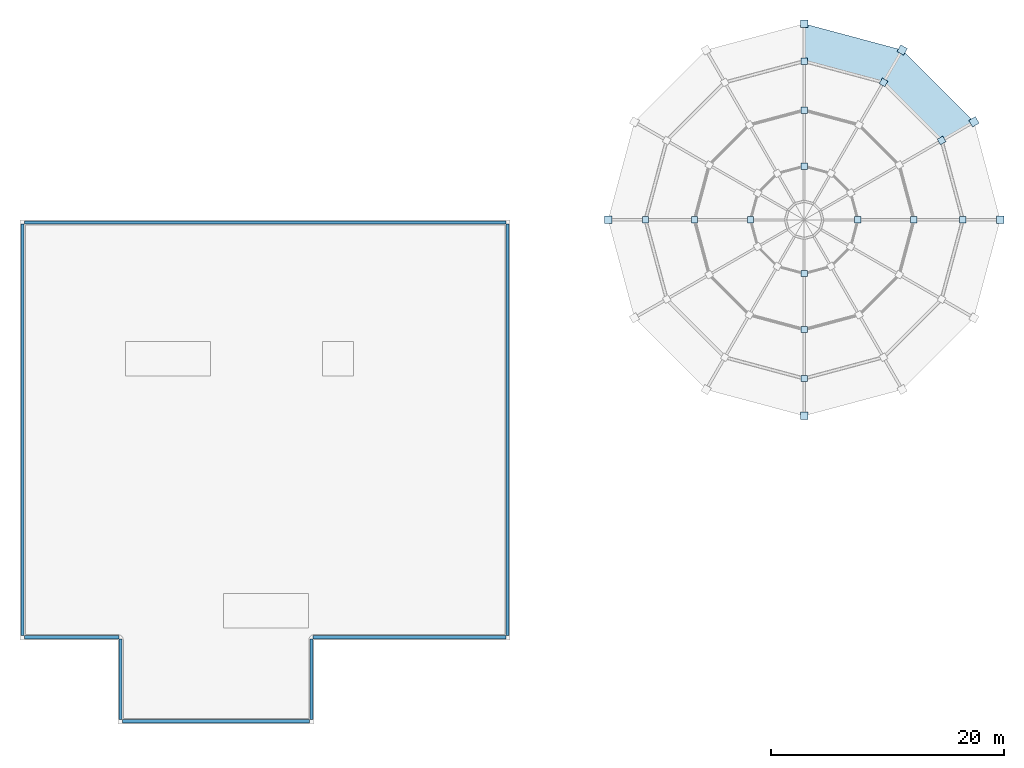
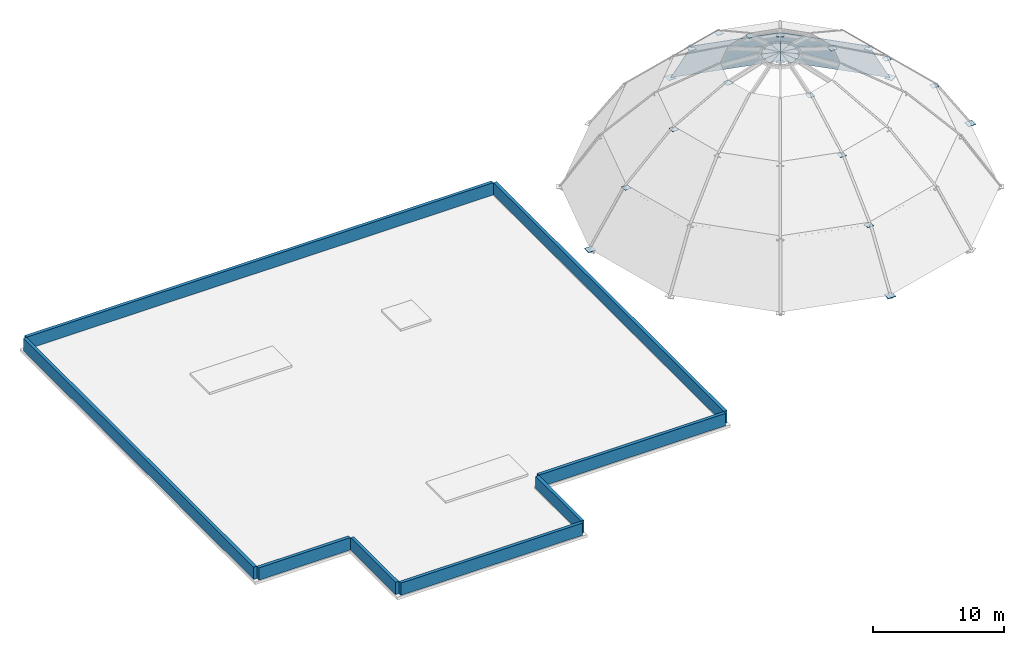
# One storey, part 4 of 5: 22 plates, 8 walls.
"""IFC4 building model written with IfcOpenShell, lengths in metres."""

import ifcopenshell
import ifcopenshell.guid

model = None  # the IFC model being written
_history = None  # IfcOwnerHistory: only IFC2X3 demands one
_inside = {}  # id of a spatial element -> (the spatial element, [elements in it])
_under = {}  # id of a project, library or spatial element -> (it, [spatial elements below it])
_declared = {}  # id of a project -> (the project, [libraries it declares])
_typed = {}  # id of a type object -> (the type object, [elements of that type])
_made_of = {}  # id of a material, layer set ... -> (it, [elements and type objects made of it])


def new_model(schema):
    """Start an empty IFC model of exactly this schema.

    Asked for "IFC4X3", IfcOpenShell would pick the latest addendum, in which some entities
    have other attributes; the version numbers below select the first issue.
    IFC2X3 requires an IfcOwnerHistory on every rooted entity: one is made here for all.
    """
    global model, _history
    if schema == "IFC4X3":
        model = ifcopenshell.file(schema_version=(4, 3, 0, 0))
    else:
        model = ifcopenshell.file(schema=schema)
    _inside.clear()
    _under.clear()
    _declared.clear()
    _typed.clear()
    _made_of.clear()
    _history = None
    if model.schema == "IFC2X3":
        org = make("IfcOrganization", Name="unknown")
        user = make(
            "IfcPersonAndOrganization",
            ThePerson=make("IfcPerson", FamilyName="unknown"),
            TheOrganization=org,
        )
        app = make(
            "IfcApplication",
            ApplicationDeveloper=org,
            Version="unknown",
            ApplicationFullName="unknown",
            ApplicationIdentifier="unknown",
        )
        _history = make(
            "IfcOwnerHistory",
            OwningUser=user,
            OwningApplication=app,
            ChangeAction="ADDED",
            CreationDate=0,
        )
    return model


def make(cls, **values):
    """One entity of the class cls with the attributes given. An attribute that is None is left unset."""
    return model.create_entity(
        cls, **{name: value for name, value in values.items() if value is not None}
    )


def rooted(cls, **values):
    """An entity with a GlobalId (a new one), such as an element, a storey or a relation."""
    return make(cls, GlobalId=ifcopenshell.guid.new(), OwnerHistory=_history, **values)


def si_unit(unit_type, name, prefix=None):
    """IfcSIUnit, for example si_unit("LENGTHUNIT", "METRE", prefix="MILLI")."""
    return make("IfcSIUnit", UnitType=unit_type, Prefix=prefix, Name=name)


def derived_unit(unit_type, elements):
    """IfcDerivedUnit: a product of units, each with its exponent."""
    return make(
        "IfcDerivedUnit",
        Elements=[
            make("IfcDerivedUnitElement", Unit=unit, Exponent=power)
            for unit, power in elements
        ],
        UnitType=unit_type,
    )


def assignment(units):
    """IfcUnitAssignment: the units of a project."""
    return None if units is None else make("IfcUnitAssignment", Units=units)


def point(xyz):
    """IfcCartesianPoint."""
    return None if xyz is None else make("IfcCartesianPoint", Coordinates=xyz)


def direction(xyz):
    """IfcDirection."""
    return None if xyz is None else make("IfcDirection", DirectionRatios=xyz)


def frame(location, z_axis=None, x_axis=None):
    """IfcAxis2Placement3D, a coordinate frame: its origin and axes. An axis left out is left unset."""
    return make(
        "IfcAxis2Placement3D",
        Location=point(location),
        Axis=direction(z_axis),
        RefDirection=direction(x_axis),
    )


def frame_2d(location, x_axis=None):
    """IfcAxis2Placement2D, a coordinate frame in the plane: its origin and x axis."""
    return make(
        "IfcAxis2Placement2D", Location=point(location), RefDirection=direction(x_axis)
    )


def origin():
    """The frame at (0, 0, 0) with its axes left unset."""
    return frame((0.0, 0.0, 0.0))


def origin_2d():
    """The frame at (0, 0) in the plane with its x axis left unset."""
    return frame_2d((0.0, 0.0))


def place(relative_to, where):
    """IfcLocalPlacement: puts the frame where relative to a parent placement (None: the world)."""
    return make(
        "IfcLocalPlacement", PlacementRelTo=relative_to, RelativePlacement=where
    )


def context(
    kind, dimensions, precision=None, world=None, true_north=None, identifier=None
):
    """IfcGeometricRepresentationContext, for example the 3D "Model" context."""
    return make(
        "IfcGeometricRepresentationContext",
        ContextIdentifier=identifier,
        ContextType=kind,
        CoordinateSpaceDimension=dimensions,
        Precision=precision,
        WorldCoordinateSystem=world,
        TrueNorth=true_north,
    )


def subcontext(parent, identifier, kind, view, scale=None):
    """IfcGeometricRepresentationSubContext, for example "Body" below "Model"."""
    return make(
        "IfcGeometricRepresentationSubContext",
        ContextIdentifier=identifier,
        ContextType=kind,
        ParentContext=parent,
        TargetScale=scale,
        TargetView=view,
    )


def project(units=None, contexts=None):
    """IfcProject with its units and contexts."""
    return rooted(
        "IfcProject",
        Name="project",
        RepresentationContexts=contexts,
        UnitsInContext=assignment(units),
    )


def spatial(cls, under=None, at=None, **own):
    """A site, building, storey or space (cls), placed at a placement, below another one or the project."""
    s = rooted(cls, ObjectPlacement=at, **own)
    if under is not None:
        _under.setdefault(under.id(), (under, []))[1].append(s)
    return s


def polyline(points):
    """IfcPolyline through the points."""
    return make("IfcPolyline", Points=[point(p) for p in points])


def profile(cls, at=None, kind="AREA", **sizes):
    """A parametric profile (cls). Its sizes go by their IFC names, for example OverallWidth=200.0."""
    return make(cls, ProfileType=kind, Position=at, **sizes)


def rectangle(**sizes):
    """IfcRectangleProfileDef."""
    return profile("IfcRectangleProfileDef", **sizes)


def outline(outer, holes=None, kind="AREA"):
    """IfcArbitraryClosedProfileDef: a profile drawn as a closed curve; with holes, ...WithVoids."""
    if holes is None:
        return make("IfcArbitraryClosedProfileDef", ProfileType=kind, OuterCurve=outer)
    return make(
        "IfcArbitraryProfileDefWithVoids",
        ProfileType=kind,
        OuterCurve=outer,
        InnerCurves=holes,
    )


def extrude(swept, where, along, depth):
    """IfcExtrudedAreaSolid: the profile swept, set in the frame where, extruded along a direction by depth."""
    return make(
        "IfcExtrudedAreaSolid",
        SweptArea=swept,
        Position=where,
        ExtrudedDirection=direction(along),
        Depth=depth,
    )


def shape(context_of_items, identifier, shape_type, items):
    """IfcShapeRepresentation: the items that make up one representation, for example the "Body"."""
    return make(
        "IfcShapeRepresentation",
        ContextOfItems=context_of_items,
        RepresentationIdentifier=identifier,
        RepresentationType=shape_type,
        Items=items,
    )


def material(Name=None, Category=None):
    """IfcMaterial."""
    return make("IfcMaterial", Name=Name, Category=Category)


def layer(
    of_material, thickness, ventilated=None, Name=None, Category=None, Priority=None
):
    """IfcMaterialLayer: one layer of a wall or slab, of a material (None: an air gap)."""
    return make(
        "IfcMaterialLayer",
        Material=of_material,
        LayerThickness=thickness,
        IsVentilated=ventilated,
        Name=Name,
        Category=Category,
        Priority=Priority,
    )


def layer_set(layers, Name=None):
    """IfcMaterialLayerSet."""
    return make("IfcMaterialLayerSet", MaterialLayers=layers, LayerSetName=Name)


def made_of(thing, what):
    """Note that an element or type object is made of a material, layer set ...; save() writes the relation."""
    if what is not None:
        _made_of.setdefault(what.id(), (what, []))[1].append(thing)
    return thing


def type_object(cls, material=None, **own):
    """A type object (cls), such as IfcWallType, which elements share."""
    return made_of(rooted(cls, **own), material)


def element(
    cls,
    number,
    at=None,
    inside=None,
    cuts=None,
    type_object=None,
    material=None,
    context=None,
    identifier="Body",
    shape_type=None,
    held_by="IfcProductDefinitionShape",
    body=None,
    shapes=None,
    **own,
):
    """One element of the class cls, such as IfcWall. Its Tag is "e" and its number.

    at: its placement. inside: the storey or other place that contains it. cuts: it is an
    opening in that element (IfcRelVoidsElement). A single representation is given by context,
    identifier, shape_type and body (its items); several are given by shapes. held_by: the class
    of the entity that holds the representations. save() writes the other relations.
    """
    e = rooted(cls, Tag="e%d" % number, ObjectPlacement=at, **own)
    if body is not None:
        shapes = [shape(context, identifier, shape_type, body)]
    if shapes is not None:
        e.Representation = make(held_by, Representations=shapes)
    if inside is not None:
        _inside.setdefault(inside.id(), (inside, []))[1].append(e)
    if cuts is not None:
        rooted(
            "IfcRelVoidsElement", RelatingBuildingElement=cuts, RelatedOpeningElement=e
        )
    if type_object is not None:
        _typed.setdefault(type_object.id(), (type_object, []))[1].append(e)
    return made_of(e, material)


def aggregate(whole, parts):
    """IfcRelAggregates: a whole, such as a stair, and the parts it consists of."""
    return rooted("IfcRelAggregates", RelatingObject=whole, RelatedObjects=parts)


def save(model, path):
    """Write the relations noted so far, then the file.

    IfcRelAggregates (storeys below a building ...), IfcRelContainedInSpatialStructure (elements
    in a storey), IfcRelDefinesByType, IfcRelAssociatesMaterial and IfcRelDeclares: one each for
    every whole, place, type object, material and project.
    """
    for whole, parts in _under.values():
        aggregate(whole, parts)
    for where, things in _inside.values():
        rooted(
            "IfcRelContainedInSpatialStructure",
            RelatedElements=things,
            RelatingStructure=where,
        )
    for kind, things in _typed.values():
        rooted("IfcRelDefinesByType", RelatedObjects=things, RelatingType=kind)
    for what, things in _made_of.values():
        rooted("IfcRelAssociatesMaterial", RelatedObjects=things, RelatingMaterial=what)
    for by, libraries in _declared.values():
        rooted("IfcRelDeclares", RelatingContext=by, RelatedDefinitions=libraries)
    model.write(path)


model = new_model("IFC4")

# Units and contexts
model_context = context("Model", 3, precision=1e-05, world=origin(), true_north=direction((0.0, 1.0)))
body_context = subcontext(model_context, "Body", "Model", "MODEL_VIEW")
ifc_project = project(units=[si_unit("LENGTHUNIT", "METRE"), si_unit("AREAUNIT", "SQUARE_METRE"), si_unit("VOLUMEUNIT", "CUBIC_METRE"), si_unit("PLANEANGLEUNIT", "RADIAN"), si_unit("MASSUNIT", "GRAM", prefix="KILO"), derived_unit("THERMALTRANSMITTANCEUNIT", [(si_unit("POWERUNIT", "WATT"), 1), (si_unit("LENGTHUNIT", "METRE"), -2), (si_unit("THERMODYNAMICTEMPERATUREUNIT", "KELVIN"), -1)])], contexts=[model_context])

# Site, building, storey
site_placement = place(None, origin())
site = spatial("IfcSite", under=ifc_project, at=site_placement, CompositionType="ELEMENT")
building_placement = place(site_placement, origin())
building = spatial("IfcBuilding", under=site, at=building_placement, Name="Veybourne Emporium", CompositionType="ELEMENT")
storey_placement = place(building_placement, frame((0.0, 0.0, 36.60009765625)))
storey = spatial("IfcBuildingStorey", under=building, at=storey_placement, Name="ROOF", CompositionType="ELEMENT", Elevation=36.60009765625)

# Plates
ifc_material_1 = material(Name="Solar Control Laminated Glass", Category="glass")
ifc_layer_1 = layer(ifc_material_1, 0.031982421875)
ifc_layer_set_1 = layer_set([ifc_layer_1], Name="Solar Control Laminated Glass")
plate_type_1 = type_object("IfcPlateType", Name="GlazingPlate_DG-01", PredefinedType="SHEET", material=ifc_layer_set_1)
plate_1_placement = place(storey_placement, frame((90.149169921875, 58.800048828125, -8.3740234375), z_axis=(0.59805322622, 0.59805322622, 0.533539761608), x_axis=(-0.707106781187, 0.707106781187, 0.0)))
element("IfcPlate", 1, at=plate_1_placement, inside=storey, type_object=plate_type_1, Name="Atrium dome laminated glazing panel DG-01 sector 2 tier 1", PredefinedType="SHEET", context=body_context, shape_type="SweptSolid", body=[
    extrude(outline(polyline([(0.0, 0.0), (8.69623950085233, 0.0), (7.868116642123847, 5.793387649320011), (0.8281228587284835, 5.793387649320012), (0.0, 0.0)])), origin(), (0.0, 0.0, -1.0), 0.031982421875),
])
plate_2_placement = place(storey_placement, frame((84.0, 64.94921875, -8.3740234375), z_axis=(0.218904335615, 0.816961163334, 0.533531020141), x_axis=(-0.96592589278, 0.258818796952, 8.6286e-07)))
element("IfcPlate", 2, at=plate_2_placement, inside=storey, type_object=plate_type_1, Name="Atrium dome laminated glazing panel DG-01 sector 3 tier 1", PredefinedType="SHEET", context=body_context, shape_type="SweptSolid", body=[
    extrude(outline(polyline([(0.0, 0.0), (8.696215028345277, 0.0), (7.868011743665389, 5.7933418507557946), (0.8283309215531014, 5.793357904414631), (0.0, 0.0)])), origin(), (0.0, 0.0, -1.0), 0.031982421875),
])
ifc_material_2 = material(Name="Steel S355", Category="steel")
ifc_layer_2 = layer(ifc_material_2, 0.034912109375)
ifc_layer_set_2 = layer_set([ifc_layer_2], Name="Steel S355")
plate_type_2 = type_object("IfcPlateType", Name="NodePlate_BP-01", PredefinedType="USERDEFINED", material=ifc_layer_set_2)
for number, where, z_axis, x_axis, name in (
    (3, (92.39990234375, 50.39990234375, -8.39990234375), (0.0, 0.0, 1.0), (1.0, 0.0, 0.0), "Dome rib base shoe plate BP-01.01"),
    (4, (90.149169921875, 58.800048828125, -8.39990234375), (0.0, 0.0, 1.0), (0.866025403784, 0.5, 0.0), "Dome rib base shoe plate BP-01.02"),
    (5, (84.0, 64.94921875, -8.39990234375), (0.0, 0.0, 1.0), (0.5, 0.866025403784, 0.0), "Dome rib base shoe plate BP-01.03"),
    (6, (75.60009765625, 67.199951171875, -8.39990234375), (0.0, 0.0, 1.0), (0.0, 1.0, 0.0), "Dome rib base shoe plate BP-01.04"),
    (7, (58.800048828125, 50.39990234375, -8.39990234375), (0.0, 0.0, 1.0), (-1.0, 0.0, 0.0), "Dome rib base shoe plate BP-01.07"),
    (8, (75.60009765625, 33.60009765625, -8.39990234375), (0.0, 0.0, 1.0), (0.0, -1.0, 0.0), "Dome rib base shoe plate BP-01.10"),
):
    element("IfcPlate", number, at=place(storey_placement, frame(where, z_axis=z_axis, x_axis=x_axis)), inside=storey, type_object=plate_type_2, Name=name, ObjectType="BASE_PLATE", PredefinedType="USERDEFINED", context=body_context, shape_type="SweptSolid", body=[
        extrude(rectangle(XDim=0.64990234375, YDim=0.64990234375, at=origin_2d()), origin(), (0.0, 0.0, 1.0), 0.034912109375),
    ])
ifc_layer_3 = layer(ifc_material_2, 0.02490234375)
ifc_layer_set_3 = layer_set([ifc_layer_3], Name="Steel S355")
plate_type_3 = type_object("IfcPlateType", Name="NodePlate_GP-01", PredefinedType="USERDEFINED", material=ifc_layer_set_3)
for number, where, z_axis, x_axis, name in (
    (9, (89.199951171875, 50.39990234375, -3.742431640625), (0.0, 0.0, 1.0), (1.0, 0.0, 0.0), "Dome ring node gusset plate GP-01.1.01"),
    (10, (85.0, 50.39990234375, 0.257568359375), (0.0, 0.0, 1.0), (1.0, 0.0, 0.0), "Dome ring node gusset plate GP-01.2.01"),
    (11, (80.199951171875, 50.39990234375, 2.907470703125), (0.0, 0.0, 1.0), (1.0, 0.0, 0.0), "Dome ring node gusset plate GP-01.3.01"),
    (12, (87.3779296875, 57.199951171875, -3.742431640625), (0.0, 0.0, 1.0), (0.866025403784, 0.5, 0.0), "Dome ring node gusset plate GP-01.1.02"),
    (13, (82.39990234375, 62.177978515625, -3.742431640625), (0.0, 0.0, 1.0), (0.5, 0.866025403784, 0.0), "Dome ring node gusset plate GP-01.1.03"),
    (14, (75.60009765625, 64.0, -3.742431640625), (0.0, 0.0, 1.0), (0.0, 1.0, 0.0), "Dome ring node gusset plate GP-01.1.04"),
    (15, (75.60009765625, 59.800048828125, 0.257568359375), (0.0, 0.0, 1.0), (0.0, 1.0, 0.0), "Dome ring node gusset plate GP-01.2.04"),
    (16, (75.60009765625, 55.0, 2.907470703125), (0.0, 0.0, 1.0), (0.0, 1.0, 0.0), "Dome ring node gusset plate GP-01.3.04"),
    (17, (62.0, 50.39990234375, -3.742431640625), (0.0, 0.0, 1.0), (-1.0, 0.0, 0.0), "Dome ring node gusset plate GP-01.1.07"),
    (18, (66.199951171875, 50.39990234375, 0.257568359375), (0.0, 0.0, 1.0), (-1.0, 0.0, 0.0), "Dome ring node gusset plate GP-01.2.07"),
    (19, (71.0, 50.39990234375, 2.907470703125), (0.0, 0.0, 1.0), (-1.0, 0.0, 0.0), "Dome ring node gusset plate GP-01.3.07"),
    (20, (75.60009765625, 36.800048828125, -3.742431640625), (0.0, 0.0, 1.0), (0.0, -1.0, 0.0), "Dome ring node gusset plate GP-01.1.10"),
    (21, (75.60009765625, 41.0, 0.257568359375), (0.0, 0.0, 1.0), (0.0, -1.0, 0.0), "Dome ring node gusset plate GP-01.2.10"),
    (22, (75.60009765625, 45.800048828125, 2.907470703125), (0.0, 0.0, 1.0), (0.0, -1.0, 0.0), "Dome ring node gusset plate GP-01.3.10"),
):
    element("IfcPlate", number, at=place(storey_placement, frame(where, z_axis=z_axis, x_axis=x_axis)), inside=storey, type_object=plate_type_3, Name=name, ObjectType="GUSSET_PLATE", PredefinedType="USERDEFINED", context=body_context, shape_type="SweptSolid", body=[
        extrude(rectangle(XDim=0.550048828125, YDim=0.550048828125, at=origin_2d()), origin(), (0.0, 0.0, 1.0), 0.02490234375),
    ])

# Walls
ifc_material_3 = material(Name="Portland Limestone Ashlar", Category="masonry")
ifc_layer_4 = layer(ifc_material_3, 0.280029296875)
ifc_layer_set_4 = layer_set([ifc_layer_4], Name="Portland Limestone Ashlar")
wall_type = type_object("IfcWallType", Name="ExtWall_PW-01", PredefinedType="PARAPET", material=ifc_layer_set_4)
wall_1_placement = place(storey_placement, frame((17.02001953125, 7.570068359375, 0.0), z_axis=(0.0, 0.0, 1.0), x_axis=(0.0, 1.0, 0.0)))
element("IfcWall", 23, at=wall_1_placement, inside=storey, type_object=wall_type, Name="ROOF roof parapet wall 001", PredefinedType="PARAPET", context=body_context, shape_type="SweptSolid", body=[
    extrude(rectangle(XDim=6.89990234375, YDim=0.280029296875, at=frame_2d((3.449951171875, 0.0))), origin(), (0.0, 0.0, 1.0), 1.14990234375),
])
wall_2_placement = place(storey_placement, frame((16.8701171875, 14.6201171875, 0.0), z_axis=(0.0, 0.0, 1.0), x_axis=(-1.0, 0.0, 0.0)))
element("IfcWall", 24, at=wall_2_placement, inside=storey, type_object=wall_type, Name="ROOF roof parapet wall 002", PredefinedType="PARAPET", context=body_context, shape_type="SweptSolid", body=[
    extrude(rectangle(XDim=8.10009765625, YDim=0.280029296875, at=frame_2d((4.050048828125, 0.0))), origin(), (0.0, 0.0, 1.0), 1.14990234375),
])
wall_3_placement = place(storey_placement, frame((8.6201171875, 14.77001953125, 0.0), z_axis=(0.0, 0.0, 1.0), x_axis=(0.0, 1.0, 0.0)))
element("IfcWall", 25, at=wall_3_placement, inside=storey, type_object=wall_type, Name="ROOF roof parapet wall 003", PredefinedType="PARAPET", context=body_context, shape_type="SweptSolid", body=[
    extrude(rectangle(XDim=35.260009765625, YDim=0.280029296875, at=frame_2d((17.6298828125, 0.0))), origin(), (0.0, 0.0, 1.0), 1.14990234375),
])
wall_4_placement = place(storey_placement, frame((8.77001953125, 50.179931640625, 0.0), z_axis=(0.0, 0.0, 1.0), x_axis=(1.0, 0.0, 0.0)))
element("IfcWall", 26, at=wall_4_placement, inside=storey, type_object=wall_type, Name="ROOF roof parapet wall 004", PredefinedType="PARAPET", context=body_context, shape_type="SweptSolid", body=[
    extrude(rectangle(XDim=41.260009765625, YDim=0.280029296875, at=frame_2d((20.6298828125, 0.0))), origin(), (0.0, 0.0, 1.0), 1.14990234375),
])
wall_5_placement = place(storey_placement, frame((50.179931640625, 50.030029296875, 0.0), z_axis=(0.0, 0.0, 1.0), x_axis=(0.0, -1.0, 0.0)))
element("IfcWall", 27, at=wall_5_placement, inside=storey, type_object=wall_type, Name="ROOF roof parapet wall 005", PredefinedType="PARAPET", context=body_context, shape_type="SweptSolid", body=[
    extrude(rectangle(XDim=35.260009765625, YDim=0.280029296875, at=frame_2d((17.6298828125, 0.0))), origin(), (0.0, 0.0, 1.0), 1.14990234375),
])
wall_6_placement = place(storey_placement, frame((50.030029296875, 14.6201171875, 0.0), z_axis=(0.0, 0.0, 1.0), x_axis=(-1.0, 0.0, 0.0)))
element("IfcWall", 28, at=wall_6_placement, inside=storey, type_object=wall_type, Name="ROOF roof parapet wall 006", PredefinedType="PARAPET", context=body_context, shape_type="SweptSolid", body=[
    extrude(rectangle(XDim=16.5, YDim=0.280029296875, at=frame_2d((8.25, 0.0))), origin(), (0.0, 0.0, 1.0), 1.14990234375),
])
wall_7_placement = place(storey_placement, frame((33.3798828125, 14.469970703125, 0.0), z_axis=(0.0, 0.0, 1.0), x_axis=(0.0, -1.0, 0.0)))
element("IfcWall", 29, at=wall_7_placement, inside=storey, type_object=wall_type, Name="ROOF roof parapet wall 007", PredefinedType="PARAPET", context=body_context, shape_type="SweptSolid", body=[
    extrude(rectangle(XDim=6.89990234375, YDim=0.280029296875, at=frame_2d((3.449951171875, 0.0))), origin(), (0.0, 0.0, 1.0), 1.14990234375),
])
wall_8_placement = place(storey_placement, frame((33.22998046875, 7.419921875, 0.0), z_axis=(0.0, 0.0, 1.0), x_axis=(-1.0, 0.0, 0.0)))
element("IfcWall", 30, at=wall_8_placement, inside=storey, type_object=wall_type, Name="ROOF roof parapet wall 008", PredefinedType="PARAPET", context=body_context, shape_type="SweptSolid", body=[
    extrude(rectangle(XDim=16.06005859375, YDim=0.280029296875, at=frame_2d((8.030029296875, 0.0))), origin(), (0.0, 0.0, 1.0), 1.14990234375),
])

save(model, "model.ifc")
